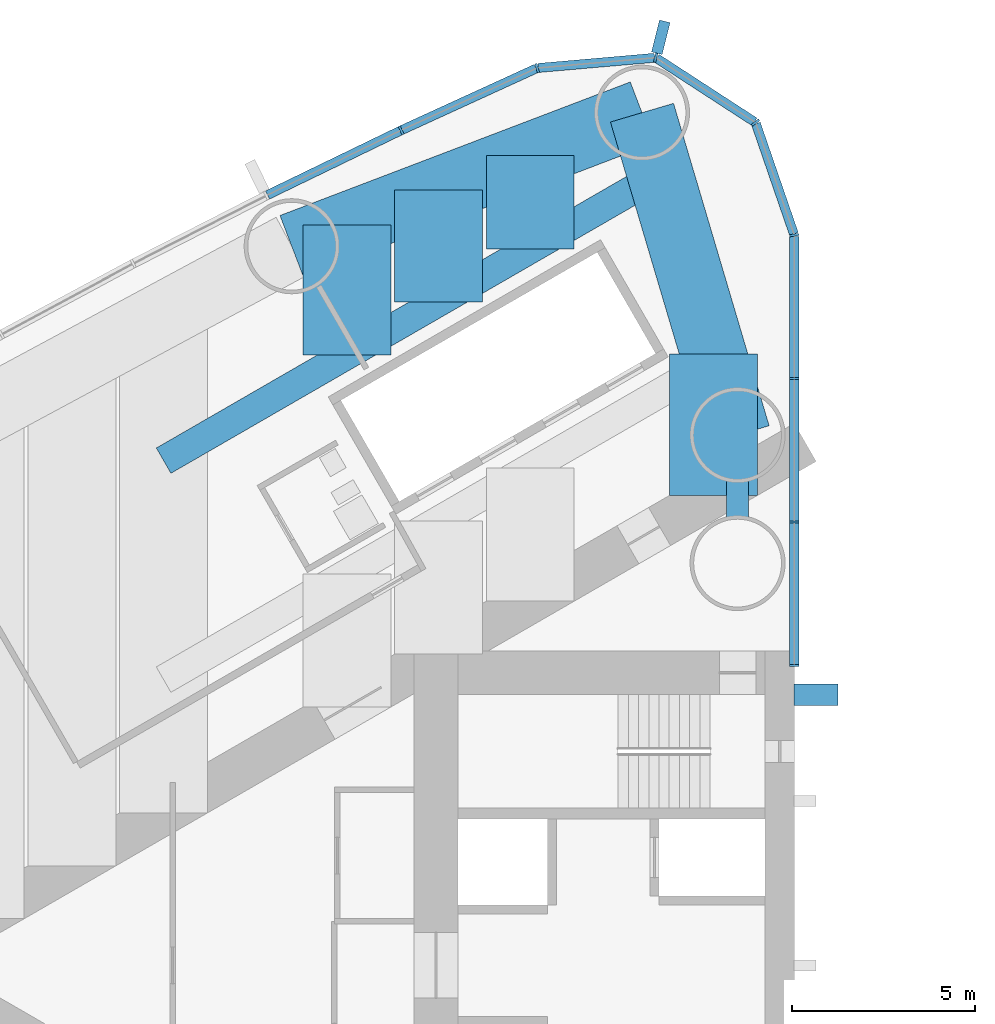
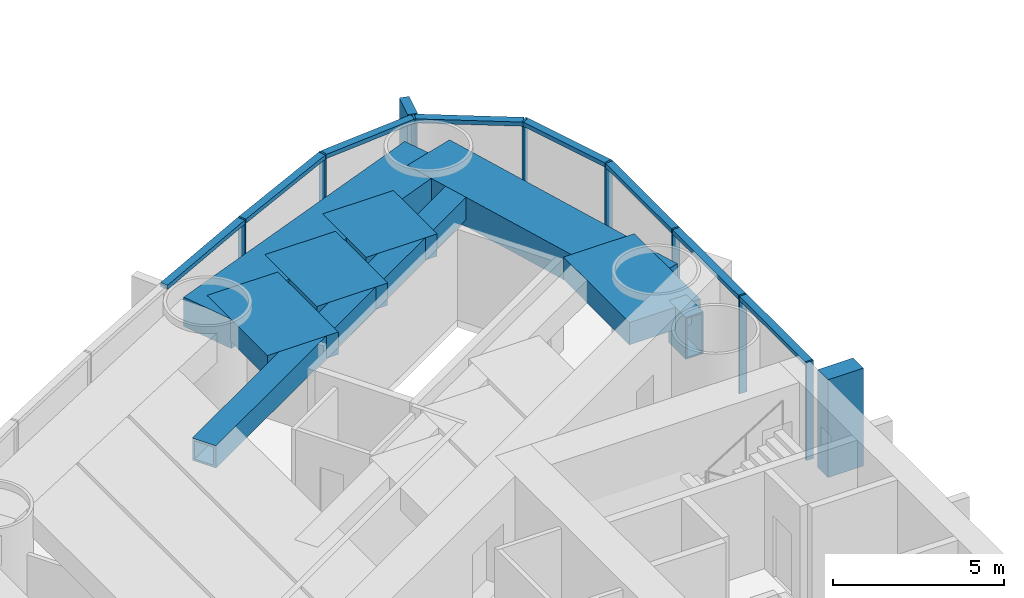
# One storey, part 5 of 18: 18 members, 8 beams, 1 element without a shape of its own.
"""IFC4 building model written with IfcOpenShell, lengths in metres."""

import ifcopenshell
import ifcopenshell.guid

model = None  # the IFC model being written
_history = None  # IfcOwnerHistory: only IFC2X3 demands one
_inside = {}  # id of a spatial element -> (the spatial element, [elements in it])
_under = {}  # id of a project, library or spatial element -> (it, [spatial elements below it])
_declared = {}  # id of a project -> (the project, [libraries it declares])
_typed = {}  # id of a type object -> (the type object, [elements of that type])
_made_of = {}  # id of a material, layer set ... -> (it, [elements and type objects made of it])


def new_model(schema):
    """Start an empty IFC model of exactly this schema.

    Asked for "IFC4X3", IfcOpenShell would pick the latest addendum, in which some entities
    have other attributes; the version numbers below select the first issue.
    IFC2X3 requires an IfcOwnerHistory on every rooted entity: one is made here for all.
    """
    global model, _history
    if schema == "IFC4X3":
        model = ifcopenshell.file(schema_version=(4, 3, 0, 0))
    else:
        model = ifcopenshell.file(schema=schema)
    _inside.clear()
    _under.clear()
    _declared.clear()
    _typed.clear()
    _made_of.clear()
    _history = None
    if model.schema == "IFC2X3":
        org = make("IfcOrganization", Name="unknown")
        user = make(
            "IfcPersonAndOrganization",
            ThePerson=make("IfcPerson", FamilyName="unknown"),
            TheOrganization=org,
        )
        app = make(
            "IfcApplication",
            ApplicationDeveloper=org,
            Version="unknown",
            ApplicationFullName="unknown",
            ApplicationIdentifier="unknown",
        )
        _history = make(
            "IfcOwnerHistory",
            OwningUser=user,
            OwningApplication=app,
            ChangeAction="ADDED",
            CreationDate=0,
        )
    return model


def make(cls, **values):
    """One entity of the class cls with the attributes given. An attribute that is None is left unset."""
    return model.create_entity(
        cls, **{name: value for name, value in values.items() if value is not None}
    )


def rooted(cls, **values):
    """An entity with a GlobalId (a new one), such as an element, a storey or a relation."""
    return make(cls, GlobalId=ifcopenshell.guid.new(), OwnerHistory=_history, **values)


def si_unit(unit_type, name, prefix=None):
    """IfcSIUnit, for example si_unit("LENGTHUNIT", "METRE", prefix="MILLI")."""
    return make("IfcSIUnit", UnitType=unit_type, Prefix=prefix, Name=name)


def assignment(units):
    """IfcUnitAssignment: the units of a project."""
    return None if units is None else make("IfcUnitAssignment", Units=units)


def point(xyz):
    """IfcCartesianPoint."""
    return None if xyz is None else make("IfcCartesianPoint", Coordinates=xyz)


def direction(xyz):
    """IfcDirection."""
    return None if xyz is None else make("IfcDirection", DirectionRatios=xyz)


def frame(location, z_axis=None, x_axis=None):
    """IfcAxis2Placement3D, a coordinate frame: its origin and axes. An axis left out is left unset."""
    return make(
        "IfcAxis2Placement3D",
        Location=point(location),
        Axis=direction(z_axis),
        RefDirection=direction(x_axis),
    )


def frame_2d(location, x_axis=None):
    """IfcAxis2Placement2D, a coordinate frame in the plane: its origin and x axis."""
    return make(
        "IfcAxis2Placement2D", Location=point(location), RefDirection=direction(x_axis)
    )


def origin():
    """The frame at (0, 0, 0) with its axes left unset."""
    return frame((0.0, 0.0, 0.0))


def origin_2d():
    """The frame at (0, 0) in the plane with its x axis left unset."""
    return frame_2d((0.0, 0.0))


def place(relative_to, where):
    """IfcLocalPlacement: puts the frame where relative to a parent placement (None: the world)."""
    return make(
        "IfcLocalPlacement", PlacementRelTo=relative_to, RelativePlacement=where
    )


def context(
    kind, dimensions, precision=None, world=None, true_north=None, identifier=None
):
    """IfcGeometricRepresentationContext, for example the 3D "Model" context."""
    return make(
        "IfcGeometricRepresentationContext",
        ContextIdentifier=identifier,
        ContextType=kind,
        CoordinateSpaceDimension=dimensions,
        Precision=precision,
        WorldCoordinateSystem=world,
        TrueNorth=true_north,
    )


def subcontext(parent, identifier, kind, view, scale=None):
    """IfcGeometricRepresentationSubContext, for example "Body" below "Model"."""
    return make(
        "IfcGeometricRepresentationSubContext",
        ContextIdentifier=identifier,
        ContextType=kind,
        ParentContext=parent,
        TargetScale=scale,
        TargetView=view,
    )


def project(units=None, contexts=None):
    """IfcProject with its units and contexts."""
    return rooted(
        "IfcProject",
        Name="project",
        RepresentationContexts=contexts,
        UnitsInContext=assignment(units),
    )


def spatial(cls, under=None, at=None, **own):
    """A site, building, storey or space (cls), placed at a placement, below another one or the project."""
    s = rooted(cls, ObjectPlacement=at, **own)
    if under is not None:
        _under.setdefault(under.id(), (under, []))[1].append(s)
    return s


def profile(cls, at=None, kind="AREA", **sizes):
    """A parametric profile (cls). Its sizes go by their IFC names, for example OverallWidth=200.0."""
    return make(cls, ProfileType=kind, Position=at, **sizes)


def rectangle(**sizes):
    """IfcRectangleProfileDef."""
    return profile("IfcRectangleProfileDef", **sizes)


def hollow_rectangle(**sizes):
    """IfcRectangleHollowProfileDef."""
    return profile("IfcRectangleHollowProfileDef", **sizes)


def extrude(swept, where, along, depth):
    """IfcExtrudedAreaSolid: the profile swept, set in the frame where, extruded along a direction by depth."""
    return make(
        "IfcExtrudedAreaSolid",
        SweptArea=swept,
        Position=where,
        ExtrudedDirection=direction(along),
        Depth=depth,
    )


def shape(context_of_items, identifier, shape_type, items):
    """IfcShapeRepresentation: the items that make up one representation, for example the "Body"."""
    return make(
        "IfcShapeRepresentation",
        ContextOfItems=context_of_items,
        RepresentationIdentifier=identifier,
        RepresentationType=shape_type,
        Items=items,
    )


def material(Name=None, Category=None):
    """IfcMaterial."""
    return make("IfcMaterial", Name=Name, Category=Category)


def material_profile(
    of_material, cross_section, Name=None, Category=None, Priority=None
):
    """IfcMaterialProfile: a cross section and its material."""
    return make(
        "IfcMaterialProfile",
        Name=Name,
        Material=of_material,
        Profile=cross_section,
        Priority=Priority,
        Category=Category,
    )


def profile_set(profiles, Name=None, composite=None):
    """IfcMaterialProfileSet."""
    return make(
        "IfcMaterialProfileSet",
        Name=Name,
        MaterialProfiles=profiles,
        CompositeProfile=composite,
    )


def made_of(thing, what):
    """Note that an element or type object is made of a material, layer set ...; save() writes the relation."""
    if what is not None:
        _made_of.setdefault(what.id(), (what, []))[1].append(thing)
    return thing


def type_object(cls, material=None, **own):
    """A type object (cls), such as IfcWallType, which elements share."""
    return made_of(rooted(cls, **own), material)


def element(
    cls,
    number,
    at=None,
    inside=None,
    cuts=None,
    type_object=None,
    material=None,
    context=None,
    identifier="Body",
    shape_type=None,
    held_by="IfcProductDefinitionShape",
    body=None,
    shapes=None,
    **own,
):
    """One element of the class cls, such as IfcWall. Its Tag is "e" and its number.

    at: its placement. inside: the storey or other place that contains it. cuts: it is an
    opening in that element (IfcRelVoidsElement). A single representation is given by context,
    identifier, shape_type and body (its items); several are given by shapes. held_by: the class
    of the entity that holds the representations. save() writes the other relations.
    """
    e = rooted(cls, Tag="e%d" % number, ObjectPlacement=at, **own)
    if body is not None:
        shapes = [shape(context, identifier, shape_type, body)]
    if shapes is not None:
        e.Representation = make(held_by, Representations=shapes)
    if inside is not None:
        _inside.setdefault(inside.id(), (inside, []))[1].append(e)
    if cuts is not None:
        rooted(
            "IfcRelVoidsElement", RelatingBuildingElement=cuts, RelatedOpeningElement=e
        )
    if type_object is not None:
        _typed.setdefault(type_object.id(), (type_object, []))[1].append(e)
    return made_of(e, material)


def aggregate(whole, parts):
    """IfcRelAggregates: a whole, such as a stair, and the parts it consists of."""
    return rooted("IfcRelAggregates", RelatingObject=whole, RelatedObjects=parts)


def save(model, path):
    """Write the relations noted so far, then the file.

    IfcRelAggregates (storeys below a building ...), IfcRelContainedInSpatialStructure (elements
    in a storey), IfcRelDefinesByType, IfcRelAssociatesMaterial and IfcRelDeclares: one each for
    every whole, place, type object, material and project.
    """
    for whole, parts in _under.values():
        aggregate(whole, parts)
    for where, things in _inside.values():
        rooted(
            "IfcRelContainedInSpatialStructure",
            RelatedElements=things,
            RelatingStructure=where,
        )
    for kind, things in _typed.values():
        rooted("IfcRelDefinesByType", RelatedObjects=things, RelatingType=kind)
    for what, things in _made_of.values():
        rooted("IfcRelAssociatesMaterial", RelatedObjects=things, RelatingMaterial=what)
    for by, libraries in _declared.values():
        rooted("IfcRelDeclares", RelatingContext=by, RelatedDefinitions=libraries)
    model.write(path)


model = new_model("IFC4")

# Units and contexts
model_context = context("Model", 3, precision=1e-05, world=origin(), true_north=direction((0.0, 1.0)))
body_context = subcontext(model_context, "Body", "Model", "MODEL_VIEW")
ifc_project = project(units=[si_unit("LENGTHUNIT", "METRE"), si_unit("AREAUNIT", "SQUARE_METRE"), si_unit("VOLUMEUNIT", "CUBIC_METRE"), si_unit("PLANEANGLEUNIT", "RADIAN"), si_unit("MASSUNIT", "GRAM", prefix="KILO")], contexts=[model_context])

# Site, building, storey
site_placement = place(None, origin())
site = spatial("IfcSite", under=ifc_project, at=site_placement, CompositionType="ELEMENT")
building_placement = place(site_placement, origin())
building = spatial("IfcBuilding", under=site, at=building_placement, Name="Lancet Gate Hotel", CompositionType="ELEMENT")
storey_placement = place(building_placement, frame((0.0, 0.0, 108.10009765625)))
storey = spatial("IfcBuildingStorey", under=building, at=storey_placement, Name="L28", CompositionType="ELEMENT", Elevation=108.10009765625)

# Curtain wall, members
ifc_material_1 = material(Name="Aluminium curtain wall", Category="aluminium")
curtain_wall_type = type_object("IfcCurtainWallType", Name="Tower unitised curtain wall", PredefinedType="USERDEFINED", material=ifc_material_1)
curtain_wall_placement = place(storey_placement, origin())
curtain_wall = element("IfcCurtainWall", 1, at=curtain_wall_placement, inside=storey, type_object=curtain_wall_type, Name="T1 L28 curtain wall 1", ObjectType="UNITISED CURTAIN WALL", PredefinedType="USERDEFINED")
ifc_material_2 = material(Name="Aluminium mullion", Category="aluminium")
ifc_material_profile_1 = material_profile(ifc_material_2, rectangle(XDim=0.06494140625, YDim=0.25, at=origin_2d()), Name="MULLION 65x250")
ifc_profile_set_1 = profile_set([ifc_material_profile_1], Name="Aluminium mullion")
member_type_1 = type_object("IfcMemberType", Name="Aluminium mullion 65x250", PredefinedType="MULLION", material=ifc_profile_set_1)
member_1_placement = place(storey_placement, frame((-27.5, 8.199951171875, 0.0), z_axis=(0.0, 0.0, 1.0), x_axis=(0.0, 1.0, 0.0)))
member_1 = element("IfcMember", 2, at=member_1_placement, type_object=member_type_1, Name="T1 L28 curtain wall 1 mullion 1", PredefinedType="MULLION", context=body_context, shape_type="SweptSolid", body=[
    extrude(rectangle(XDim=0.06494140625, YDim=0.25, at=origin_2d()), origin(), (0.0, 0.0, 1.0), 3.5),
])
member_2_placement = place(storey_placement, frame((-27.5, 12.123779296875, 0.0), z_axis=(0.0, 0.0, 1.0), x_axis=(0.0, 1.0, 0.0)))
member_2 = element("IfcMember", 3, at=member_2_placement, type_object=member_type_1, Name="T1 L28 curtain wall 1 mullion 2", PredefinedType="MULLION", context=body_context, shape_type="SweptSolid", body=[
    extrude(rectangle(XDim=0.06494140625, YDim=0.25, at=origin_2d()), origin(), (0.0, 0.0, 1.0), 3.5),
])
member_3_placement = place(storey_placement, frame((-27.5, 16.04736328125, 0.0), z_axis=(0.0, 0.0, 1.0), x_axis=(0.0, 1.0, 0.0)))
member_3 = element("IfcMember", 4, at=member_3_placement, type_object=member_type_1, Name="T1 L28 curtain wall 1 mullion 3", PredefinedType="MULLION", context=body_context, shape_type="SweptSolid", body=[
    extrude(rectangle(XDim=0.06494140625, YDim=0.25, at=origin_2d()), origin(), (0.0, 0.0, 1.0), 3.5),
])
member_4_placement = place(storey_placement, frame((-27.5, 19.97119140625, 0.0), z_axis=(0.0, 0.0, 1.0), x_axis=(-0.149634446211, 0.988741388082, 0.0)))
member_4 = element("IfcMember", 5, at=member_4_placement, type_object=member_type_1, Name="T1 L28 curtain wall 1 mullion 4", PredefinedType="MULLION", context=body_context, shape_type="SweptSolid", body=[
    extrude(rectangle(XDim=0.06494140625, YDim=0.25, at=origin_2d()), origin(), (0.0, 0.0, 1.0), 3.5),
])
member_5_placement = place(storey_placement, frame((-28.5595703125, 23.049072265625, 0.0), z_axis=(0.0, 0.0, 1.0), x_axis=(-0.615574240878, 0.788078900851, 0.0)))
member_5 = element("IfcMember", 6, at=member_5_placement, type_object=member_type_1, Name="T1 L28 curtain wall 1 mullion 5", PredefinedType="MULLION", context=body_context, shape_type="SweptSolid", body=[
    extrude(rectangle(XDim=0.06494140625, YDim=0.25, at=origin_2d()), origin(), (0.0, 0.0, 1.0), 3.5),
])
member_6_placement = place(storey_placement, frame((-31.289306640625, 24.822265625, 0.0), z_axis=(0.0, 0.0, 1.0), x_axis=(-0.970242142288, 0.242136707934, 0.0)))
member_6 = element("IfcMember", 7, at=member_6_placement, type_object=member_type_1, Name="T1 L28 curtain wall 1 mullion 6", PredefinedType="MULLION", context=body_context, shape_type="SweptSolid", body=[
    extrude(rectangle(XDim=0.06494140625, YDim=0.25, at=origin_2d()), origin(), (0.0, 0.0, 1.0), 3.5),
])
member_7_placement = place(storey_placement, frame((-34.5322265625, 24.53955078125, 0.0), z_axis=(0.0, 0.0, 1.0), x_axis=(-0.961653318232, -0.27426792655, 0.0)))
member_7 = element("IfcMember", 8, at=member_7_placement, type_object=member_type_1, Name="T1 L28 curtain wall 1 mullion 7", PredefinedType="MULLION", context=body_context, shape_type="SweptSolid", body=[
    extrude(rectangle(XDim=0.06494140625, YDim=0.25, at=origin_2d()), origin(), (0.0, 0.0, 1.0), 3.5),
])
member_8_placement = place(storey_placement, frame((-38.25244140625, 22.83642578125, 0.0), z_axis=(0.0, 0.0, 1.0), x_axis=(-0.904719609771, -0.426007544178, 0.0)))
member_8 = element("IfcMember", 9, at=member_8_placement, type_object=member_type_1, Name="T1 L28 curtain wall 1 mullion 8", PredefinedType="MULLION", context=body_context, shape_type="SweptSolid", body=[
    extrude(rectangle(XDim=0.06494140625, YDim=0.25, at=origin_2d()), origin(), (0.0, 0.0, 1.0), 3.5),
])
ifc_material_3 = material(Name="Aluminium transom", Category="aluminium")
ifc_material_profile_2 = material_profile(ifc_material_3, rectangle(XDim=0.25, YDim=0.14990234375, at=origin_2d()), Name="TRANSOM 250x150")
ifc_profile_set_2 = profile_set([ifc_material_profile_2], Name="Aluminium transom")
member_type_2 = type_object("IfcMemberType", Name="Aluminium transom 250x150", PredefinedType="USERDEFINED", material=ifc_profile_set_2)
member_9_placement = place(storey_placement, frame((-27.5, 8.232421875, 3.4248046875), z_axis=(0.0, 1.0, 0.0), x_axis=(-1.0, 0.0, 0.0)))
member_9 = element("IfcMember", 10, at=member_9_placement, type_object=member_type_2, Name="T1 L28 curtain wall 1 transom 1", ObjectType="TRANSOM", PredefinedType="USERDEFINED", context=body_context, shape_type="SweptSolid", body=[
    extrude(rectangle(XDim=0.25, YDim=0.14990234375, at=origin_2d()), origin(), (0.0, 0.0, 1.0), 3.85888671875),
])
member_10_placement = place(storey_placement, frame((-27.5, 12.15625, 3.4248046875), z_axis=(0.0, 1.0, 0.0), x_axis=(-1.0, 0.0, 0.0)))
member_10 = element("IfcMember", 11, at=member_10_placement, type_object=member_type_2, Name="T1 L28 curtain wall 1 transom 2", ObjectType="TRANSOM", PredefinedType="USERDEFINED", context=body_context, shape_type="SweptSolid", body=[
    extrude(rectangle(XDim=0.25, YDim=0.14990234375, at=origin_2d()), origin(), (0.0, 0.0, 1.0), 3.858642578125),
])
member_11_placement = place(storey_placement, frame((-27.5, 16.079833984375, 3.4248046875), z_axis=(0.0, 1.0, 0.0), x_axis=(-1.0, 0.0, 0.0)))
member_11 = element("IfcMember", 12, at=member_11_placement, type_object=member_type_2, Name="T1 L28 curtain wall 1 transom 3", ObjectType="TRANSOM", PredefinedType="USERDEFINED", context=body_context, shape_type="SweptSolid", body=[
    extrude(rectangle(XDim=0.25, YDim=0.14990234375, at=origin_2d()), origin(), (0.0, 0.0, 1.0), 3.858642578125),
])
member_12_placement = place(storey_placement, frame((-27.510498046875, 20.001708984375, 3.4248046875), z_axis=(-0.32553312754, 0.945530635609, 0.0), x_axis=(-0.945530635609, -0.32553312754, 0.0)))
member_12 = element("IfcMember", 13, at=member_12_placement, type_object=member_type_2, Name="T1 L28 curtain wall 1 transom 4", ObjectType="TRANSOM", PredefinedType="USERDEFINED", context=body_context, shape_type="SweptSolid", body=[
    extrude(rectangle(XDim=0.25, YDim=0.14990234375, at=origin_2d()), origin(), (0.0, 0.0, 1.0), 3.1904296875),
])
member_13_placement = place(storey_placement, frame((-28.5869140625, 23.066650390625, 3.4248046875), z_axis=(-0.838550259452, 0.544824249068, 0.0), x_axis=(-0.544824249068, -0.838550259452, 0.0)))
member_13 = element("IfcMember", 14, at=member_13_placement, type_object=member_type_2, Name="T1 L28 curtain wall 1 transom 5", ObjectType="TRANSOM", PredefinedType="USERDEFINED", context=body_context, shape_type="SweptSolid", body=[
    extrude(rectangle(XDim=0.25, YDim=0.14990234375, at=origin_2d()), origin(), (0.0, 0.0, 1.0), 3.190185546875),
])
member_14_placement = place(storey_placement, frame((-31.32177734375, 24.819580078125, 3.4248046875), z_axis=(-0.996213545522, -0.086940046686, 0.0), x_axis=(0.086940046686, -0.996213545522, 0.0)))
member_14 = element("IfcMember", 15, at=member_14_placement, type_object=member_type_2, Name="T1 L28 curtain wall 1 transom 6", ObjectType="TRANSOM", PredefinedType="USERDEFINED", context=body_context, shape_type="SweptSolid", body=[
    extrude(rectangle(XDim=0.25, YDim=0.14990234375, at=origin_2d()), origin(), (0.0, 0.0, 1.0), 3.18994140625),
])
member_15_placement = place(storey_placement, frame((-34.561767578125, 24.52587890625, 3.4248046875), z_axis=(-0.909252284196, -0.416245460857, 0.0), x_axis=(0.416245460857, -0.909252284196, 0.0)))
member_15 = element("IfcMember", 16, at=member_15_placement, type_object=member_type_2, Name="T1 L28 curtain wall 1 transom 7", ObjectType="TRANSOM", PredefinedType="USERDEFINED", context=body_context, shape_type="SweptSolid", body=[
    extrude(rectangle(XDim=0.25, YDim=0.14990234375, at=origin_2d()), origin(), (0.0, 0.0, 1.0), 4.026611328125),
])
member_16_placement = place(storey_placement, frame((-38.28173828125, 22.822265625, 3.4248046875), z_axis=(-0.900065677074, -0.435754262117, 0.0), x_axis=(0.435754262117, -0.900065677074, 0.0)))
member_16 = element("IfcMember", 17, at=member_16_placement, type_object=member_type_2, Name="T1 L28 curtain wall 1 transom 8", ObjectType="TRANSOM", PredefinedType="USERDEFINED", context=body_context, shape_type="SweptSolid", body=[
    extrude(rectangle(XDim=0.25, YDim=0.14990234375, at=origin_2d()), origin(), (0.0, 0.0, 1.0), 4.026611328125),
])

# Beams
ifc_material_4 = material(Name="Concrete C50/60", Category="concrete")
ifc_material_profile_3 = material_profile(ifc_material_4, rectangle(XDim=1.800048828125, YDim=1.050048828125, at=origin_2d()), Name="RC 1800x1050")
ifc_profile_set_3 = profile_set([ifc_material_profile_3], Name="Concrete C50/60")
beam_type_1 = type_object("IfcBeamType", Name="Edge beam RC 1800x1050", PredefinedType="SPANDREL", material=ifc_profile_set_3)
beam_1_placement = place(storey_placement, frame((-31.66455078125, 23.318359375, 2.724853515625), z_axis=(-0.934392266213, -0.356245832033, 0.0), x_axis=(0.356245832033, -0.934392266213, 0.0)))
element("IfcBeam", 18, at=beam_1_placement, inside=storey, type_object=beam_type_1, Name="T1 edge beam EB1 L28", PredefinedType="SPANDREL", context=body_context, shape_type="SweptSolid", body=[
    extrude(rectangle(XDim=1.800048828125, YDim=1.050048828125, at=origin_2d()), origin(), (0.0, 0.0, 1.0), 10.2529296875),
])
beam_2_placement = place(storey_placement, frame((-31.66455078125, 23.318359375, 2.724853515625), z_axis=(0.284253711522, -0.958749095168, 0.0), x_axis=(0.958749095168, 0.284253711522, 0.0)))
element("IfcBeam", 19, at=beam_2_placement, inside=storey, type_object=beam_type_1, Name="T1 edge beam EB1 L28", PredefinedType="SPANDREL", context=body_context, shape_type="SweptSolid", body=[
    extrude(rectangle(XDim=1.800048828125, YDim=1.050048828125, at=origin_2d()), origin(), (0.0, 0.0, 1.0), 9.19775390625),
])

# Member
ifc_material_5 = material(Name="Concrete C60/75", Category="concrete")
ifc_material_profile_4 = material_profile(ifc_material_5, rectangle(XDim=0.60009765625, YDim=1.199951171875, at=origin_2d()), Name="FIN 600x1200")
ifc_profile_set_4 = profile_set([ifc_material_profile_4], Name="Concrete C60/75")
member_type_3 = type_object("IfcMemberType", Name="Exposed concrete buttress pilaster 600x1200", PredefinedType="USERDEFINED", material=ifc_profile_set_4)
member_17_placement = place(storey_placement, frame((-26.909912109375, 7.39990234375, 0.0), z_axis=(0.0, 0.0, 1.0), x_axis=(0.0, 1.0, 0.0)))
element("IfcMember", 20, at=member_17_placement, inside=storey, type_object=member_type_3, Name="T1 buttress pilaster S L28", ObjectType="FIN", PredefinedType="USERDEFINED", context=body_context, shape_type="SweptSolid", body=[
    extrude(rectangle(XDim=0.60009765625, YDim=1.199951171875, at=origin_2d()), origin(), (0.0, 0.0, 1.0), 3.5),
])

ifc_material_6 = material(Name="Precast concrete C50/60", Category="concrete")
ifc_material_profile_5 = material_profile(ifc_material_6, rectangle(XDim=0.300048828125, YDim=0.89990234375, at=origin_2d()), Name="FIN 300x900")
ifc_profile_set_5 = profile_set([ifc_material_profile_5], Name="Precast concrete C50/60")
member_type_4 = type_object("IfcMemberType", Name="Exposed concrete fin 300x900", PredefinedType="USERDEFINED", material=ifc_profile_set_5)
member_18_placement = place(storey_placement, frame((-31.150146484375, 25.380126953125, 0.0), z_axis=(0.0, 0.0, 1.0), x_axis=(-0.970242142288, 0.242136707934, 0.0)))
member_18 = element("IfcMember", 21, at=member_18_placement, type_object=member_type_4, Name="T1 L28 curtain wall 1 fin 6", ObjectType="FIN", PredefinedType="USERDEFINED", context=body_context, shape_type="SweptSolid", body=[
    extrude(rectangle(XDim=0.300048828125, YDim=0.89990234375, at=origin_2d()), origin(), (0.0, 0.0, 1.0), 3.5),
])

aggregate(curtain_wall, [member_1, member_2, member_3, member_4, member_5, member_6, member_18, member_7, member_8, member_9, member_10, member_11, member_12, member_13, member_14, member_15, member_16])

# Beams
ifc_material_7 = material(Name="Concrete C50/60", Category="concrete")
ifc_material_profile_6 = material_profile(ifc_material_7, rectangle(XDim=2.39990234375, YDim=0.800048828125, at=origin_2d()), Name="RC 2400x800")
ifc_profile_set_6 = profile_set([ifc_material_profile_6], Name="Concrete C50/60")
beam_type_2 = type_object("IfcBeamType", Name="Floor beam RC 2400x800", PredefinedType="BEAM", material=ifc_profile_set_6)
beam_3_placement = place(storey_placement, frame((-29.706787109375, 16.71533203125, 2.849853515625), z_axis=(0.0, -1.0, 0.0), x_axis=(1.0, 0.0, 0.0)))
element("IfcBeam", 22, at=beam_3_placement, inside=storey, type_object=beam_type_2, Name="T1 floor beam F02S L28", PredefinedType="BEAM", context=body_context, shape_type="SweptSolid", body=[
    extrude(rectangle(XDim=2.39990234375, YDim=0.800048828125, at=origin_2d()), origin(), (0.0, 0.0, 1.0), 3.86279296875),
])
beam_4_placement = place(storey_placement, frame((-34.720458984375, 22.1533203125, 2.849853515625), z_axis=(0.0, -1.0, 0.0), x_axis=(1.0, 0.0, 0.0)))
element("IfcBeam", 23, at=beam_4_placement, inside=storey, type_object=beam_type_2, Name="T1 floor beam F04SA L28", PredefinedType="BEAM", context=body_context, shape_type="SweptSolid", body=[
    extrude(rectangle(XDim=2.39990234375, YDim=0.800048828125, at=origin_2d()), origin(), (0.0, 0.0, 1.0), 2.561767578125),
])
beam_5_placement = place(storey_placement, frame((-37.227294921875, 21.197509765625, 2.849853515625), z_axis=(0.0, -1.0, 0.0), x_axis=(1.0, 0.0, 0.0)))
element("IfcBeam", 24, at=beam_5_placement, inside=storey, type_object=beam_type_2, Name="T1 floor beam F05SA L28", PredefinedType="BEAM", context=body_context, shape_type="SweptSolid", body=[
    extrude(rectangle(XDim=2.39990234375, YDim=0.800048828125, at=origin_2d()), origin(), (0.0, 0.0, 1.0), 3.053466796875),
])
beam_6_placement = place(storey_placement, frame((-39.734130859375, 20.24169921875, 2.849853515625), z_axis=(0.0, -1.0, 0.0), x_axis=(1.0, 0.0, 0.0)))
element("IfcBeam", 25, at=beam_6_placement, inside=storey, type_object=beam_type_2, Name="T1 floor beam F07SA L28", PredefinedType="BEAM", context=body_context, shape_type="SweptSolid", body=[
    extrude(rectangle(XDim=2.39990234375, YDim=0.800048828125, at=origin_2d()), origin(), (0.0, 0.0, 1.0), 3.545166015625),
])
ifc_material_8 = material(Name="Steel S460QL", Category="steel")
ifc_material_profile_7 = material_profile(ifc_material_8, hollow_rectangle(XDim=0.60009765625, YDim=1.5, WallThickness=0.050048828125, at=origin_2d()), Name="BOX 1500x600x50")
ifc_profile_set_7 = profile_set([ifc_material_profile_7], Name="Steel S460QL")
beam_type_3 = type_object("IfcBeamType", Name="Inner-face link beam BOX 1500x600x50", PredefinedType="BEAM", material=ifc_profile_set_7)
beam_7_placement = place(storey_placement, frame((-29.050048828125, 13.25, 2.5), z_axis=(0.0, -1.0, 0.0), x_axis=(1.0, 0.0, 0.0)))
element("IfcBeam", 26, at=beam_7_placement, inside=storey, type_object=beam_type_3, Name="T1 inner-face link beam LK1 L28", PredefinedType="BEAM", context=body_context, shape_type="SweptSolid", body=[
    extrude(hollow_rectangle(XDim=0.60009765625, YDim=1.5, WallThickness=0.050048828125, at=origin_2d()), origin(), (0.0, 0.0, 1.0), 1.0),
])
ifc_material_9 = material(Name="Steel S460QL", Category="steel")
ifc_material_profile_8 = material_profile(ifc_material_9, hollow_rectangle(XDim=0.800048828125, YDim=0.800048828125, WallThickness=0.080078125, at=origin_2d()), Name="BOX 800x800x80")
ifc_profile_set_8 = profile_set([ifc_material_profile_8], Name="Steel S460QL")
beam_type_4 = type_object("IfcBeamType", Name="Trimmer beam BOX 800x800x80", PredefinedType="BEAM", material=ifc_profile_set_8)
beam_8_placement = place(storey_placement, frame((-31.16796875, 21.642822265625, 2.849853515625), z_axis=(-0.866004868127, -0.500035567115, 0.0), x_axis=(0.500035567115, -0.866004868127, 0.0)))
element("IfcBeam", 27, at=beam_8_placement, inside=storey, type_object=beam_type_4, Name="T1 trimmer beam TR04S L28", PredefinedType="BEAM", context=body_context, shape_type="SweptSolid", body=[
    extrude(hollow_rectangle(XDim=0.800048828125, YDim=0.800048828125, WallThickness=0.080078125, at=origin_2d()), origin(), (0.0, 0.0, 1.0), 15.680908203125),
])

save(model, "model.ifc")
